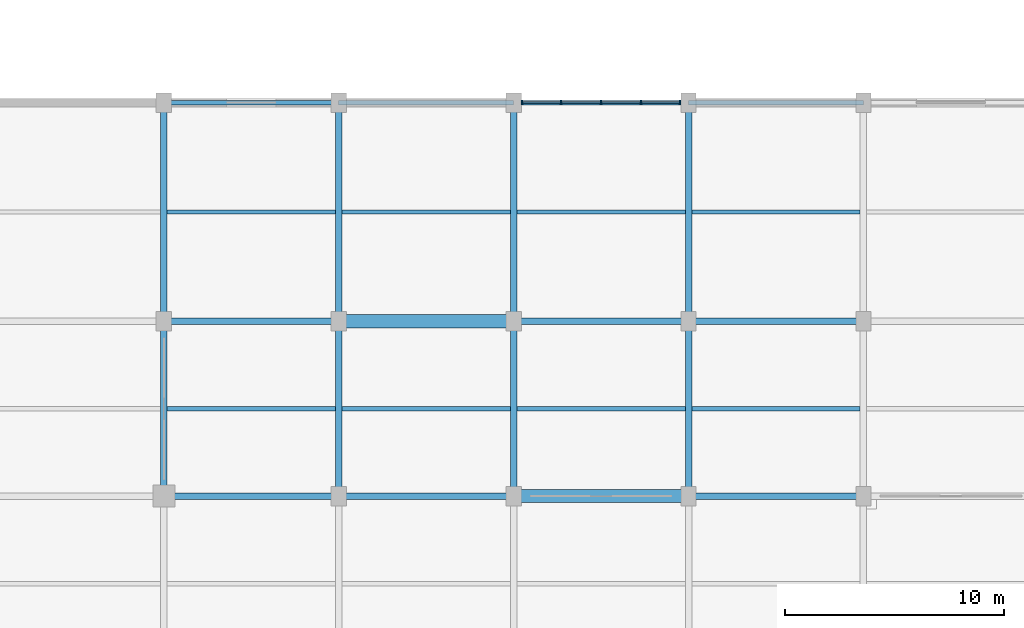
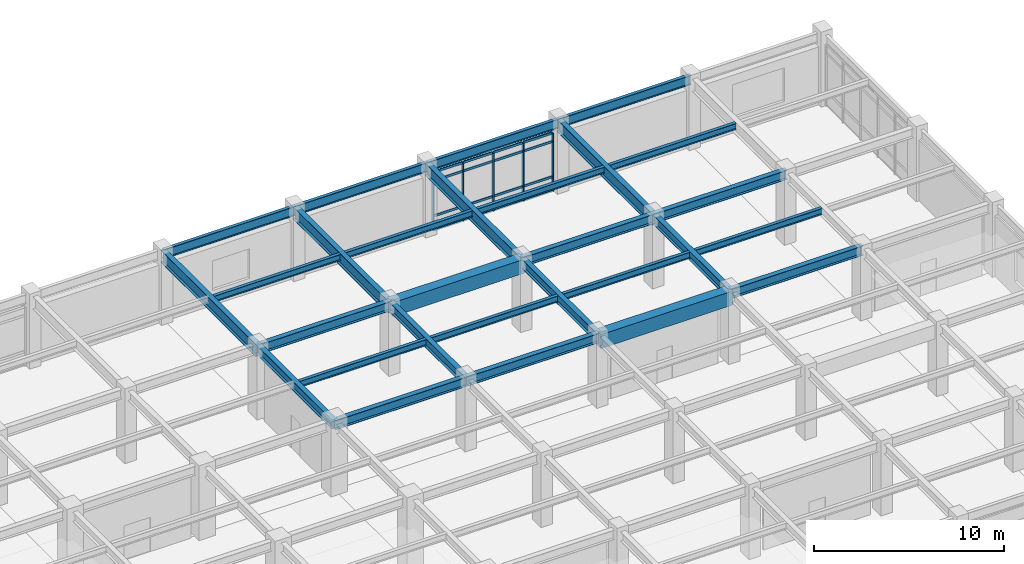
# One storey, part 52 of 117: 28 beams, 21 members, 1 element without a shape of its own.
"""IFC4 building model written with IfcOpenShell, lengths in metres."""

from ifc_helpers import new_model, si_unit, direction, frame, origin, origin_2d, place, context, subcontext, project, spatial, rectangle, i_section, extrude, material, layer, layer_set, material_profile, profile_set, type_object, element, aggregate, save


model = new_model("IFC4")

# Units and contexts
model_context = context("Model", 3, precision=1e-05, world=origin(), true_north=direction((0.0, 1.0)))
body_context = subcontext(model_context, "Body", "Model", "MODEL_VIEW")
ifc_project = project(units=[si_unit("LENGTHUNIT", "METRE"), si_unit("AREAUNIT", "SQUARE_METRE"), si_unit("VOLUMEUNIT", "CUBIC_METRE"), si_unit("PLANEANGLEUNIT", "RADIAN"), si_unit("MASSUNIT", "GRAM", prefix="KILO")], contexts=[model_context])

# Site, building, storey
site_placement = place(None, origin())
site = spatial("IfcSite", under=ifc_project, at=site_placement, CompositionType="ELEMENT")
building_placement = place(site_placement, origin())
building = spatial("IfcBuilding", under=site, at=building_placement, Name="Haebicheon Civic Stadium", CompositionType="ELEMENT")
storey_placement = place(building_placement, frame((0.0, 0.0, 4.800048828125)))
storey = spatial("IfcBuildingStorey", under=building, at=storey_placement, Name="L02", CompositionType="ELEMENT", Elevation=4.800048828125)

# Beams
ifc_material_1 = material(Name="Concrete C40/50", Category="concrete")
ifc_material_profile_1 = material_profile(ifc_material_1, rectangle(XDim=0.60009765625, YDim=0.89990234375, at=origin_2d()), Name="RC-BM-600x900")
ifc_profile_set_1 = profile_set([ifc_material_profile_1], Name="Concrete C40/50")
beam_type_1 = type_object("IfcBeamType", Name="BM-RC-600x900", PredefinedType="BEAM", material=ifc_profile_set_1)
for number, where, z_axis, x_axis, name in (
    (1, (168.0, 168.0, 4.070068359375), (1.0, 0.0, 0.0), (0.0, 1.0, 0.0), "L02 beam X/22-23"),
    (2, (176.0, 160.0, 4.070068359375), (1.0, 0.0, 0.0), (0.0, 1.0, 0.0), "L02 beam W/23-24"),
):
    element("IfcBeam", number, at=place(storey_placement, frame(where, z_axis=z_axis, x_axis=x_axis)), inside=storey, type_object=beam_type_1, material=ifc_profile_set_1, Name=name, PredefinedType="BEAM", context=body_context, shape_type="SweptSolid", body=[
        extrude(rectangle(XDim=0.60009765625, YDim=0.89990234375, at=origin_2d()), origin(), (0.0, 0.0, 1.0), 8.0),
    ])
ifc_material_2 = material(Name="Steel SM355 (S355)", Category="steel")
ifc_material_profile_2 = material_profile(ifc_material_2, i_section(OverallWidth=0.300048828125, OverallDepth=0.60009765625, WebThickness=0.011962890625, FlangeThickness=0.02001953125, at=origin_2d()), Name="H-600x300x12x20")
ifc_profile_set_2 = profile_set([ifc_material_profile_2], Name="Steel SM355 (S355)")
beam_type_2 = type_object("IfcBeamType", Name="BM-ST-H600A", PredefinedType="BEAM", material=ifc_profile_set_2)
for number, where, z_axis, x_axis, name in (
    (3, (160.0, 160.0, 4.219970703125), (0.0, 1.0, 0.0), (-1.0, 0.0, 0.0), "L02 girder 21/W-X"),
    (4, (168.0, 160.0, 4.219970703125), (0.0, 1.0, 0.0), (-1.0, 0.0, 0.0), "L02 girder 22/W-X"),
    (5, (176.0, 160.0, 4.219970703125), (0.0, 1.0, 0.0), (-1.0, 0.0, 0.0), "L02 girder 23/W-X"),
    (6, (184.0, 160.0, 4.219970703125), (0.0, 1.0, 0.0), (-1.0, 0.0, 0.0), "L02 girder 24/W-X"),
    (7, (160.0, 160.0, 4.219970703125), (1.0, 0.0, 0.0), (0.0, 1.0, 0.0), "L02 beam W/21-22"),
    (8, (160.0, 168.0, 4.219970703125), (1.0, 0.0, 0.0), (0.0, 1.0, 0.0), "L02 beam X/21-22"),
    (9, (168.0, 160.0, 4.219970703125), (1.0, 0.0, 0.0), (0.0, 1.0, 0.0), "L02 beam W/22-23"),
    (10, (176.0, 168.0, 4.219970703125), (1.0, 0.0, 0.0), (0.0, 1.0, 0.0), "L02 beam X/23-24"),
    (11, (184.0, 160.0, 4.219970703125), (1.0, 0.0, 0.0), (0.0, 1.0, 0.0), "L02 beam W/24-25"),
    (12, (184.0, 168.0, 4.219970703125), (1.0, 0.0, 0.0), (0.0, 1.0, 0.0), "L02 beam X/24-25"),
):
    element("IfcBeam", number, at=place(storey_placement, frame(where, z_axis=z_axis, x_axis=x_axis)), inside=storey, type_object=beam_type_2, material=ifc_profile_set_2, Name=name, PredefinedType="BEAM", context=body_context, shape_type="SweptSolid", body=[
        extrude(i_section(OverallWidth=0.300048828125, OverallDepth=0.60009765625, WebThickness=0.011962890625, FlangeThickness=0.02001953125, at=origin_2d()), origin(), (0.0, 0.0, 1.0), 8.0),
    ])
ifc_material_3 = material(Name="Steel SM490", Category="steel")
ifc_material_profile_3 = material_profile(ifc_material_3, i_section(OverallWidth=0.300048828125, OverallDepth=0.800048828125, WebThickness=0.013916015625, FlangeThickness=0.02587890625, at=origin_2d()), Name="H-800x300x14x26")
ifc_profile_set_3 = profile_set([ifc_material_profile_3], Name="Steel SM490")
beam_type_3 = type_object("IfcBeamType", Name="BM-ST-H800", PredefinedType="BEAM", material=ifc_profile_set_3)
for number, where, z_axis, x_axis, name in (
    (13, (160.0, 168.0, 4.119873046875), (0.0, 1.0, 0.0), (-1.0, 0.0, 0.0), "L02 girder 21/X-Y"),
    (14, (168.0, 168.0, 4.119873046875), (0.0, 1.0, 0.0), (-1.0, 0.0, 0.0), "L02 girder 22/X-Y"),
    (15, (176.0, 168.0, 4.119873046875), (0.0, 1.0, 0.0), (-1.0, 0.0, 0.0), "L02 girder 23/X-Y"),
    (16, (184.0, 168.0, 4.119873046875), (0.0, 1.0, 0.0), (-1.0, 0.0, 0.0), "L02 girder 24/X-Y"),
):
    element("IfcBeam", number, at=place(storey_placement, frame(where, z_axis=z_axis, x_axis=x_axis)), inside=storey, type_object=beam_type_3, material=ifc_profile_set_3, Name=name, PredefinedType="BEAM", context=body_context, shape_type="SweptSolid", body=[
        extrude(i_section(OverallWidth=0.300048828125, OverallDepth=0.800048828125, WebThickness=0.013916015625, FlangeThickness=0.02587890625, at=origin_2d()), origin(), (0.0, 0.0, 1.0), 10.0),
    ])

# Curtain wall, members
ifc_material_4 = material(Name="Anodised aluminium and laminated glass", Category="aluminium")
ifc_layer = layer(ifc_material_4, 0.179931640625, Name="Anodised aluminium and laminated glass")
ifc_layer_set = layer_set([ifc_layer], Name="Anodised aluminium and laminated glass")
curtain_wall_type = type_object("IfcCurtainWallType", Name="CW-7300x3710", PredefinedType="NOTDEFINED", material=ifc_layer_set)
curtain_wall_placement = place(storey_placement, origin())
curtain_wall = element("IfcCurtainWall", 17, at=curtain_wall_placement, inside=storey, type_object=curtain_wall_type, material=ifc_layer_set, Name="L02 unitised curtain wall 059", PredefinedType="NOTDEFINED")
ifc_material_5 = material(Name="Anodised aluminium 6063-T6", Category="aluminium")
ifc_material_profile_4 = material_profile(ifc_material_5, rectangle(XDim=0.070068359375, YDim=0.199951171875, at=origin_2d()), Name="ALU-MULL-70x200")
ifc_profile_set_4 = profile_set([ifc_material_profile_4], Name="Anodised aluminium 6063-T6")
member_type_1 = type_object("IfcMemberType", Name="CWM-200x70", PredefinedType="MULLION", material=ifc_profile_set_4)
member_1_placement = place(storey_placement, frame((176.385009765625, 178.0, 0.0), z_axis=(0.0, 0.0, 1.0), x_axis=(1.0, 0.0, 0.0)))
member_1 = element("IfcMember", 18, at=member_1_placement, type_object=member_type_1, material=ifc_profile_set_4, Name="CW-L02-059 vertical mullion 1", PredefinedType="MULLION", context=body_context, shape_type="SweptSolid", body=[
    extrude(rectangle(XDim=0.070068359375, YDim=0.199951171875, at=origin_2d()), origin(), (0.0, 0.0, 1.0), 3.7099609375),
])
member_2_placement = place(storey_placement, frame((178.175048828125, 178.0, 0.0), z_axis=(0.0, 0.0, 1.0), x_axis=(1.0, 0.0, 0.0)))
member_2 = element("IfcMember", 19, at=member_2_placement, type_object=member_type_1, material=ifc_profile_set_4, Name="CW-L02-059 vertical mullion 2", PredefinedType="MULLION", context=body_context, shape_type="SweptSolid", body=[
    extrude(rectangle(XDim=0.070068359375, YDim=0.199951171875, at=origin_2d()), origin(), (0.0, 0.0, 1.0), 3.7099609375),
])
member_3_placement = place(storey_placement, frame((180.0, 178.0, 0.0), z_axis=(0.0, 0.0, 1.0), x_axis=(1.0, 0.0, 0.0)))
member_3 = element("IfcMember", 20, at=member_3_placement, type_object=member_type_1, material=ifc_profile_set_4, Name="CW-L02-059 vertical mullion 3", PredefinedType="MULLION", context=body_context, shape_type="SweptSolid", body=[
    extrude(rectangle(XDim=0.070068359375, YDim=0.199951171875, at=origin_2d()), origin(), (0.0, 0.0, 1.0), 3.7099609375),
])
member_4_placement = place(storey_placement, frame((181.824951171875, 178.0, 0.0), z_axis=(0.0, 0.0, 1.0), x_axis=(1.0, 0.0, 0.0)))
member_4 = element("IfcMember", 21, at=member_4_placement, type_object=member_type_1, material=ifc_profile_set_4, Name="CW-L02-059 vertical mullion 4", PredefinedType="MULLION", context=body_context, shape_type="SweptSolid", body=[
    extrude(rectangle(XDim=0.070068359375, YDim=0.199951171875, at=origin_2d()), origin(), (0.0, 0.0, 1.0), 3.7099609375),
])
member_5_placement = place(storey_placement, frame((183.614990234375, 178.0, 0.0), z_axis=(0.0, 0.0, 1.0), x_axis=(1.0, 0.0, 0.0)))
member_5 = element("IfcMember", 22, at=member_5_placement, type_object=member_type_1, material=ifc_profile_set_4, Name="CW-L02-059 vertical mullion 5", PredefinedType="MULLION", context=body_context, shape_type="SweptSolid", body=[
    extrude(rectangle(XDim=0.070068359375, YDim=0.199951171875, at=origin_2d()), origin(), (0.0, 0.0, 1.0), 3.7099609375),
])
ifc_material_6 = material(Name="Anodised aluminium 6063-T6", Category="aluminium")
ifc_material_profile_5 = material_profile(ifc_material_6, rectangle(XDim=0.070068359375, YDim=0.14990234375, at=origin_2d()), Name="ALU-TRAN-70x150")
ifc_profile_set_5 = profile_set([ifc_material_profile_5], Name="Anodised aluminium 6063-T6")
member_type_2 = type_object("IfcMemberType", Name="CWT-150x70", PredefinedType="NOTDEFINED", material=ifc_profile_set_5)
member_6_placement = place(storey_placement, frame((176.419921875, 178.0, 0.0), z_axis=(1.0, 0.0, 0.0), x_axis=(0.0, 1.0, 0.0)))
member_6 = element("IfcMember", 23, at=member_6_placement, type_object=member_type_2, material=ifc_profile_set_5, Name="CW-L02-059 horizontal transom 1.1", ObjectType="TRANSOM", PredefinedType="USERDEFINED", context=body_context, shape_type="SweptSolid", body=[
    extrude(rectangle(XDim=0.070068359375, YDim=0.14990234375, at=origin_2d()), origin(), (0.0, 0.0, 1.0), 1.719970703125),
])
member_7_placement = place(storey_placement, frame((176.419921875, 178.0, 0.89990234375), z_axis=(1.0, 0.0, 0.0), x_axis=(0.0, 1.0, 0.0)))
member_7 = element("IfcMember", 24, at=member_7_placement, type_object=member_type_2, material=ifc_profile_set_5, Name="CW-L02-059 horizontal transom 1.2", ObjectType="TRANSOM", PredefinedType="USERDEFINED", context=body_context, shape_type="SweptSolid", body=[
    extrude(rectangle(XDim=0.070068359375, YDim=0.14990234375, at=origin_2d()), origin(), (0.0, 0.0, 1.0), 1.719970703125),
])
member_8_placement = place(storey_placement, frame((176.419921875, 178.0, 3.159912109375), z_axis=(1.0, 0.0, 0.0), x_axis=(0.0, 1.0, 0.0)))
member_8 = element("IfcMember", 25, at=member_8_placement, type_object=member_type_2, material=ifc_profile_set_5, Name="CW-L02-059 horizontal transom 1.3", ObjectType="TRANSOM", PredefinedType="USERDEFINED", context=body_context, shape_type="SweptSolid", body=[
    extrude(rectangle(XDim=0.070068359375, YDim=0.14990234375, at=origin_2d()), origin(), (0.0, 0.0, 1.0), 1.719970703125),
])
member_9_placement = place(storey_placement, frame((176.419921875, 178.0, 3.7099609375), z_axis=(1.0, 0.0, 0.0), x_axis=(0.0, 1.0, 0.0)))
member_9 = element("IfcMember", 26, at=member_9_placement, type_object=member_type_2, material=ifc_profile_set_5, Name="CW-L02-059 horizontal transom 1.4", ObjectType="TRANSOM", PredefinedType="USERDEFINED", context=body_context, shape_type="SweptSolid", body=[
    extrude(rectangle(XDim=0.070068359375, YDim=0.14990234375, at=origin_2d()), origin(), (0.0, 0.0, 1.0), 1.719970703125),
])
member_10_placement = place(storey_placement, frame((178.2099609375, 178.0, 0.0), z_axis=(1.0, 0.0, 0.0), x_axis=(0.0, 1.0, 0.0)))
member_10 = element("IfcMember", 27, at=member_10_placement, type_object=member_type_2, material=ifc_profile_set_5, Name="CW-L02-059 horizontal transom 2.1", ObjectType="TRANSOM", PredefinedType="USERDEFINED", context=body_context, shape_type="SweptSolid", body=[
    extrude(rectangle(XDim=0.070068359375, YDim=0.14990234375, at=origin_2d()), origin(), (0.0, 0.0, 1.0), 1.755126953125),
])
member_11_placement = place(storey_placement, frame((178.2099609375, 178.0, 0.89990234375), z_axis=(1.0, 0.0, 0.0), x_axis=(0.0, 1.0, 0.0)))
member_11 = element("IfcMember", 28, at=member_11_placement, type_object=member_type_2, material=ifc_profile_set_5, Name="CW-L02-059 horizontal transom 2.2", ObjectType="TRANSOM", PredefinedType="USERDEFINED", context=body_context, shape_type="SweptSolid", body=[
    extrude(rectangle(XDim=0.070068359375, YDim=0.14990234375, at=origin_2d()), origin(), (0.0, 0.0, 1.0), 1.755126953125),
])
member_12_placement = place(storey_placement, frame((178.2099609375, 178.0, 3.159912109375), z_axis=(1.0, 0.0, 0.0), x_axis=(0.0, 1.0, 0.0)))
member_12 = element("IfcMember", 29, at=member_12_placement, type_object=member_type_2, material=ifc_profile_set_5, Name="CW-L02-059 horizontal transom 2.3", ObjectType="TRANSOM", PredefinedType="USERDEFINED", context=body_context, shape_type="SweptSolid", body=[
    extrude(rectangle(XDim=0.070068359375, YDim=0.14990234375, at=origin_2d()), origin(), (0.0, 0.0, 1.0), 1.755126953125),
])
member_13_placement = place(storey_placement, frame((178.2099609375, 178.0, 3.7099609375), z_axis=(1.0, 0.0, 0.0), x_axis=(0.0, 1.0, 0.0)))
member_13 = element("IfcMember", 30, at=member_13_placement, type_object=member_type_2, material=ifc_profile_set_5, Name="CW-L02-059 horizontal transom 2.4", ObjectType="TRANSOM", PredefinedType="USERDEFINED", context=body_context, shape_type="SweptSolid", body=[
    extrude(rectangle(XDim=0.070068359375, YDim=0.14990234375, at=origin_2d()), origin(), (0.0, 0.0, 1.0), 1.755126953125),
])
member_14_placement = place(storey_placement, frame((180.034912109375, 178.0, 0.0), z_axis=(1.0, 0.0, 0.0), x_axis=(0.0, 1.0, 0.0)))
member_14 = element("IfcMember", 31, at=member_14_placement, type_object=member_type_2, material=ifc_profile_set_5, Name="CW-L02-059 horizontal transom 3.1", ObjectType="TRANSOM", PredefinedType="USERDEFINED", context=body_context, shape_type="SweptSolid", body=[
    extrude(rectangle(XDim=0.070068359375, YDim=0.14990234375, at=origin_2d()), origin(), (0.0, 0.0, 1.0), 1.755126953125),
])
member_15_placement = place(storey_placement, frame((180.034912109375, 178.0, 0.89990234375), z_axis=(1.0, 0.0, 0.0), x_axis=(0.0, 1.0, 0.0)))
member_15 = element("IfcMember", 32, at=member_15_placement, type_object=member_type_2, material=ifc_profile_set_5, Name="CW-L02-059 horizontal transom 3.2", ObjectType="TRANSOM", PredefinedType="USERDEFINED", context=body_context, shape_type="SweptSolid", body=[
    extrude(rectangle(XDim=0.070068359375, YDim=0.14990234375, at=origin_2d()), origin(), (0.0, 0.0, 1.0), 1.755126953125),
])
member_16_placement = place(storey_placement, frame((180.034912109375, 178.0, 3.159912109375), z_axis=(1.0, 0.0, 0.0), x_axis=(0.0, 1.0, 0.0)))
member_16 = element("IfcMember", 33, at=member_16_placement, type_object=member_type_2, material=ifc_profile_set_5, Name="CW-L02-059 horizontal transom 3.3", ObjectType="TRANSOM", PredefinedType="USERDEFINED", context=body_context, shape_type="SweptSolid", body=[
    extrude(rectangle(XDim=0.070068359375, YDim=0.14990234375, at=origin_2d()), origin(), (0.0, 0.0, 1.0), 1.755126953125),
])
member_17_placement = place(storey_placement, frame((180.034912109375, 178.0, 3.7099609375), z_axis=(1.0, 0.0, 0.0), x_axis=(0.0, 1.0, 0.0)))
member_17 = element("IfcMember", 34, at=member_17_placement, type_object=member_type_2, material=ifc_profile_set_5, Name="CW-L02-059 horizontal transom 3.4", ObjectType="TRANSOM", PredefinedType="USERDEFINED", context=body_context, shape_type="SweptSolid", body=[
    extrude(rectangle(XDim=0.070068359375, YDim=0.14990234375, at=origin_2d()), origin(), (0.0, 0.0, 1.0), 1.755126953125),
])
member_18_placement = place(storey_placement, frame((181.860107421875, 178.0, 0.0), z_axis=(1.0, 0.0, 0.0), x_axis=(0.0, 1.0, 0.0)))
member_18 = element("IfcMember", 35, at=member_18_placement, type_object=member_type_2, material=ifc_profile_set_5, Name="CW-L02-059 horizontal transom 4.1", ObjectType="TRANSOM", PredefinedType="USERDEFINED", context=body_context, shape_type="SweptSolid", body=[
    extrude(rectangle(XDim=0.070068359375, YDim=0.14990234375, at=origin_2d()), origin(), (0.0, 0.0, 1.0), 1.719970703125),
])
member_19_placement = place(storey_placement, frame((181.860107421875, 178.0, 0.89990234375), z_axis=(1.0, 0.0, 0.0), x_axis=(0.0, 1.0, 0.0)))
member_19 = element("IfcMember", 36, at=member_19_placement, type_object=member_type_2, material=ifc_profile_set_5, Name="CW-L02-059 horizontal transom 4.2", ObjectType="TRANSOM", PredefinedType="USERDEFINED", context=body_context, shape_type="SweptSolid", body=[
    extrude(rectangle(XDim=0.070068359375, YDim=0.14990234375, at=origin_2d()), origin(), (0.0, 0.0, 1.0), 1.719970703125),
])
member_20_placement = place(storey_placement, frame((181.860107421875, 178.0, 3.159912109375), z_axis=(1.0, 0.0, 0.0), x_axis=(0.0, 1.0, 0.0)))
member_20 = element("IfcMember", 37, at=member_20_placement, type_object=member_type_2, material=ifc_profile_set_5, Name="CW-L02-059 horizontal transom 4.3", ObjectType="TRANSOM", PredefinedType="USERDEFINED", context=body_context, shape_type="SweptSolid", body=[
    extrude(rectangle(XDim=0.070068359375, YDim=0.14990234375, at=origin_2d()), origin(), (0.0, 0.0, 1.0), 1.719970703125),
])
member_21_placement = place(storey_placement, frame((181.860107421875, 178.0, 3.7099609375), z_axis=(1.0, 0.0, 0.0), x_axis=(0.0, 1.0, 0.0)))
member_21 = element("IfcMember", 38, at=member_21_placement, type_object=member_type_2, material=ifc_profile_set_5, Name="CW-L02-059 horizontal transom 4.4", ObjectType="TRANSOM", PredefinedType="USERDEFINED", context=body_context, shape_type="SweptSolid", body=[
    extrude(rectangle(XDim=0.070068359375, YDim=0.14990234375, at=origin_2d()), origin(), (0.0, 0.0, 1.0), 1.719970703125),
])
aggregate(curtain_wall, [member_1, member_2, member_3, member_4, member_5, member_6, member_7, member_8, member_9, member_10, member_11, member_12, member_13, member_14, member_15, member_16, member_17, member_18, member_19, member_20, member_21])

# Beams
ifc_material_7 = material(Name="Steel SM355 (S355)", Category="steel")
ifc_material_profile_6 = material_profile(ifc_material_7, i_section(OverallWidth=0.199951171875, OverallDepth=0.39990234375, WebThickness=0.008056640625, FlangeThickness=0.012939453125, at=origin_2d()), Name="H-400x200x8x13")
ifc_profile_set_6 = profile_set([ifc_material_profile_6], Name="Steel SM355 (S355)")
beam_type_4 = type_object("IfcBeamType", Name="JST-ST-H400", PredefinedType="JOIST", material=ifc_profile_set_6)
for number, where, z_axis, x_axis, name in (
    (39, (160.14990234375, 164.0, 4.320068359375), (1.0, 0.0, 0.0), (0.0, 1.0, 0.0), "L02 secondary joist 20-20"),
    (40, (160.14990234375, 173.0, 4.320068359375), (1.0, 0.0, 0.0), (0.0, 1.0, 0.0), "L02 secondary joist 20-21"),
    (41, (168.14990234375, 164.0, 4.320068359375), (1.0, 0.0, 0.0), (0.0, 1.0, 0.0), "L02 secondary joist 21-20"),
    (42, (168.14990234375, 173.0, 4.320068359375), (1.0, 0.0, 0.0), (0.0, 1.0, 0.0), "L02 secondary joist 21-21"),
    (43, (176.14990234375, 164.0, 4.320068359375), (1.0, 0.0, 0.0), (0.0, 1.0, 0.0), "L02 secondary joist 22-20"),
    (44, (176.14990234375, 173.0, 4.320068359375), (1.0, 0.0, 0.0), (0.0, 1.0, 0.0), "L02 secondary joist 22-21"),
    (45, (184.14990234375, 164.0, 4.320068359375), (1.0, 0.0, 0.0), (0.0, 1.0, 0.0), "L02 secondary joist 23-20"),
    (46, (184.14990234375, 173.0, 4.320068359375), (1.0, 0.0, 0.0), (0.0, 1.0, 0.0), "L02 secondary joist 23-21"),
):
    element("IfcBeam", number, at=place(storey_placement, frame(where, z_axis=z_axis, x_axis=x_axis)), inside=storey, type_object=beam_type_4, material=ifc_profile_set_6, Name=name, PredefinedType="JOIST", context=body_context, shape_type="SweptSolid", body=[
        extrude(i_section(OverallWidth=0.199951171875, OverallDepth=0.39990234375, WebThickness=0.008056640625, FlangeThickness=0.012939453125, at=origin_2d()), origin(), (0.0, 0.0, 1.0), 7.7001953125),
    ])
ifc_material_8 = material(Name="Steel SM355 (S355)", Category="steel")
ifc_material_profile_7 = material_profile(ifc_material_8, i_section(OverallWidth=0.199951171875, OverallDepth=0.60009765625, WebThickness=0.010986328125, FlangeThickness=0.01708984375, at=origin_2d()), Name="H-600x200x11x17")
ifc_profile_set_7 = profile_set([ifc_material_profile_7], Name="Steel SM355 (S355)")
beam_type_5 = type_object("IfcBeamType", Name="SPD-ST-H600B", PredefinedType="SPANDREL", material=ifc_profile_set_7)
for number, where, z_axis, x_axis, name in (
    (47, (160.0, 178.0, 4.219970703125), (1.0, 0.0, 0.0), (0.0, 1.0, 0.0), "L02 beam Y/21-22"),
    (48, (168.0, 178.0, 4.219970703125), (1.0, 0.0, 0.0), (0.0, 1.0, 0.0), "L02 beam Y/22-23"),
    (49, (176.0, 178.0, 4.219970703125), (1.0, 0.0, 0.0), (0.0, 1.0, 0.0), "L02 beam Y/23-24"),
    (50, (184.0, 178.0, 4.219970703125), (1.0, 0.0, 0.0), (0.0, 1.0, 0.0), "L02 beam Y/24-25"),
):
    element("IfcBeam", number, at=place(storey_placement, frame(where, z_axis=z_axis, x_axis=x_axis)), inside=storey, type_object=beam_type_5, material=ifc_profile_set_7, Name=name, PredefinedType="SPANDREL", context=body_context, shape_type="SweptSolid", body=[
        extrude(i_section(OverallWidth=0.199951171875, OverallDepth=0.60009765625, WebThickness=0.010986328125, FlangeThickness=0.01708984375, at=origin_2d()), origin(), (0.0, 0.0, 1.0), 8.0),
    ])

save(model, "model.ifc")
